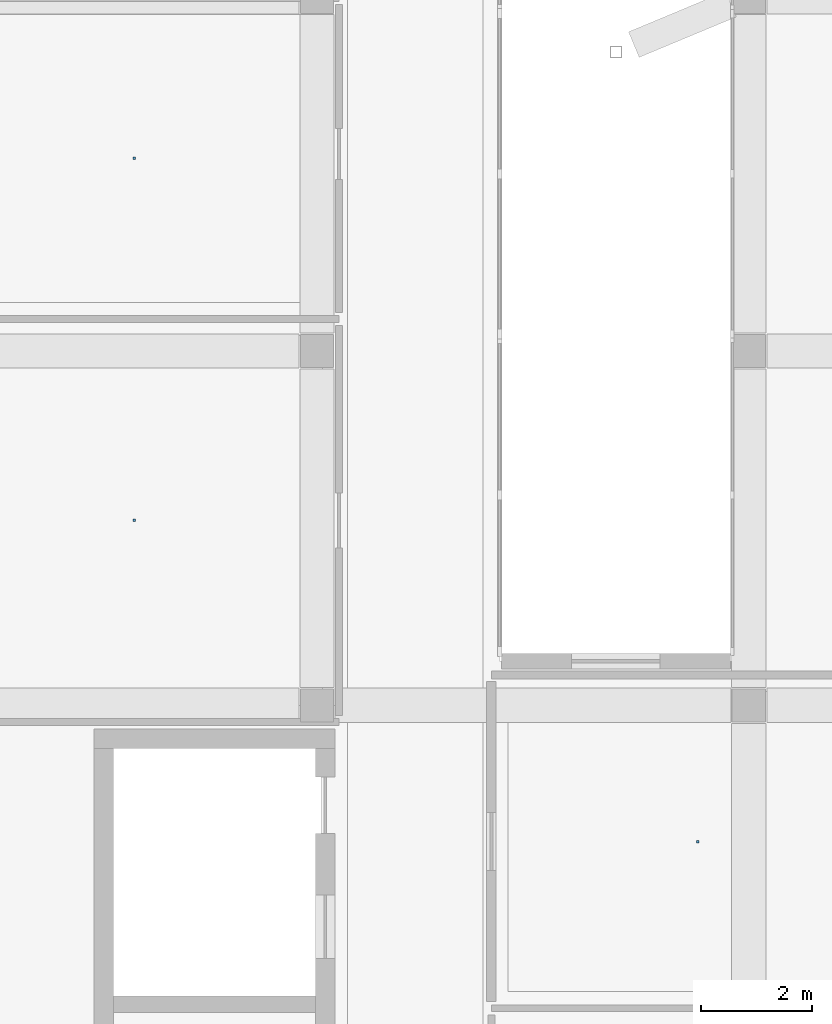
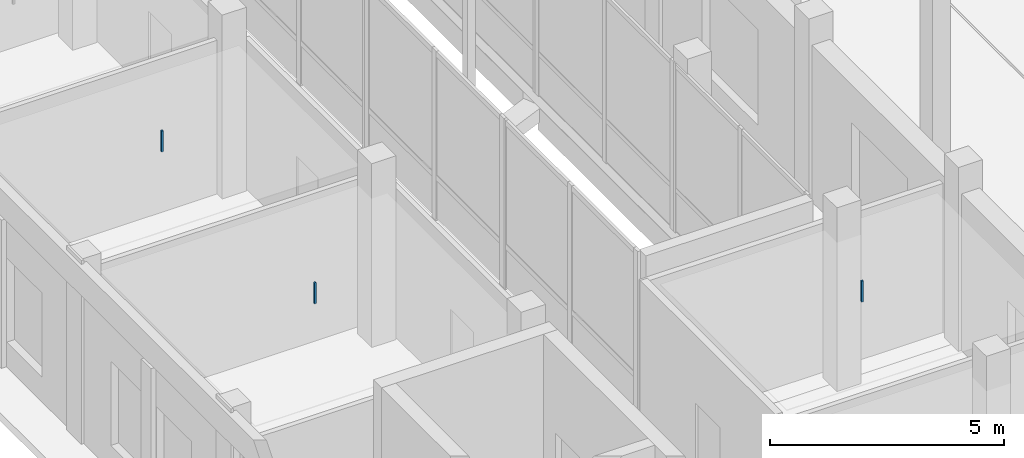
# One storey, part 59 of 88: 3 discrete accessories.
"""IFC4 building model written with IfcOpenShell, lengths in metres."""

from ifc_helpers import new_model, si_unit, derived_unit, direction, frame, origin, origin_2d, place, context, subcontext, project, spatial, rectangle, extrude, material, type_object, element, save


model = new_model("IFC4")

# Units and contexts
model_context = context("Model", 3, precision=1e-05, world=origin(), true_north=direction((0.0, 1.0)))
body_context = subcontext(model_context, "Body", "Model", "MODEL_VIEW")
ifc_project = project(units=[si_unit("LENGTHUNIT", "METRE"), si_unit("AREAUNIT", "SQUARE_METRE"), si_unit("VOLUMEUNIT", "CUBIC_METRE"), si_unit("PLANEANGLEUNIT", "RADIAN"), si_unit("MASSUNIT", "GRAM", prefix="KILO"), derived_unit("THERMALTRANSMITTANCEUNIT", [(si_unit("POWERUNIT", "WATT"), 1), (si_unit("LENGTHUNIT", "METRE"), -2), (si_unit("THERMODYNAMICTEMPERATUREUNIT", "KELVIN"), -1)])], contexts=[model_context])

# Site, building, storey
site_placement = place(None, origin())
site = spatial("IfcSite", under=ifc_project, at=site_placement, CompositionType="ELEMENT")
building_placement = place(site_placement, origin())
building = spatial("IfcBuilding", under=site, at=building_placement, Name="Braskholm Square Health Centre", CompositionType="ELEMENT")
storey_placement = place(building_placement, origin())
storey = spatial("IfcBuildingStorey", under=building, at=storey_placement, Name="L01", CompositionType="ELEMENT", Elevation=0.0)

# Discrete accessories
ifc_material = material(Name="Steel ASTM A500 Grade C", Category="steel")
discrete_accessory_type = type_object("IfcDiscreteAccessoryType", Name="CeilingSuspensionBracket", PredefinedType="BRACKET", material=ifc_material)
for number, where, z_axis, x_axis, name in (
    (1, (8.10205078125, 33.139892578125, 3.8818359375), (0.0, 0.0, 1.0), (1.0, 0.0, 0.0), "Ceiling hanger bracket 0008"),
    (2, (8.10205078125, 39.679931640625, 3.8818359375), (0.0, 0.0, 1.0), (1.0, 0.0, 0.0), "Ceiling hanger bracket 0009"),
    (3, (18.27294921875, 27.340087890625, 3.8818359375), (0.0, 0.0, 1.0), (1.0, 0.0, 0.0), "Ceiling hanger bracket 0020"),
):
    element("IfcDiscreteAccessory", number, at=place(storey_placement, frame(where, z_axis=z_axis, x_axis=x_axis)), inside=storey, type_object=discrete_accessory_type, Name=name, PredefinedType="BRACKET", context=body_context, shape_type="SweptSolid", body=[
        extrude(rectangle(XDim=0.044921875, YDim=0.044921875, at=origin_2d()), origin(), (0.0, 0.0, 1.0), 0.550048828125),
    ])

save(model, "model.ifc")
